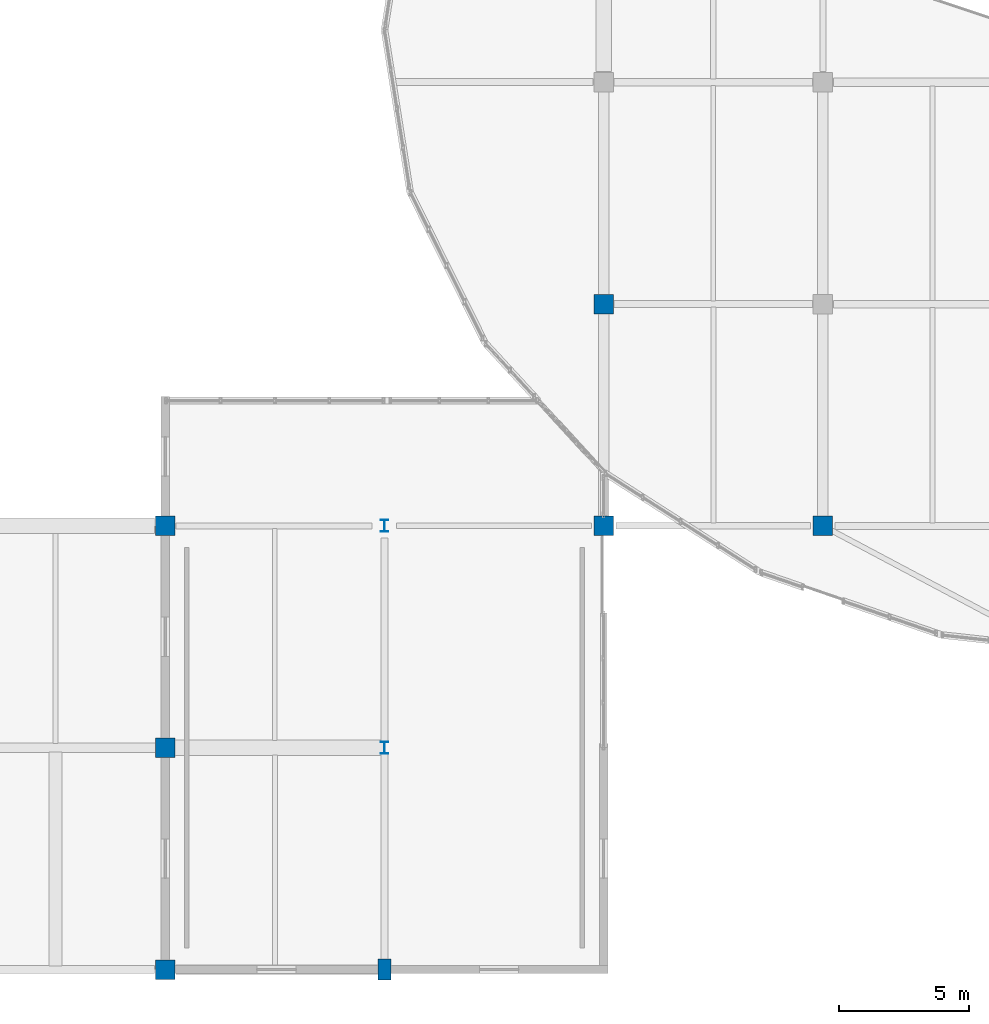
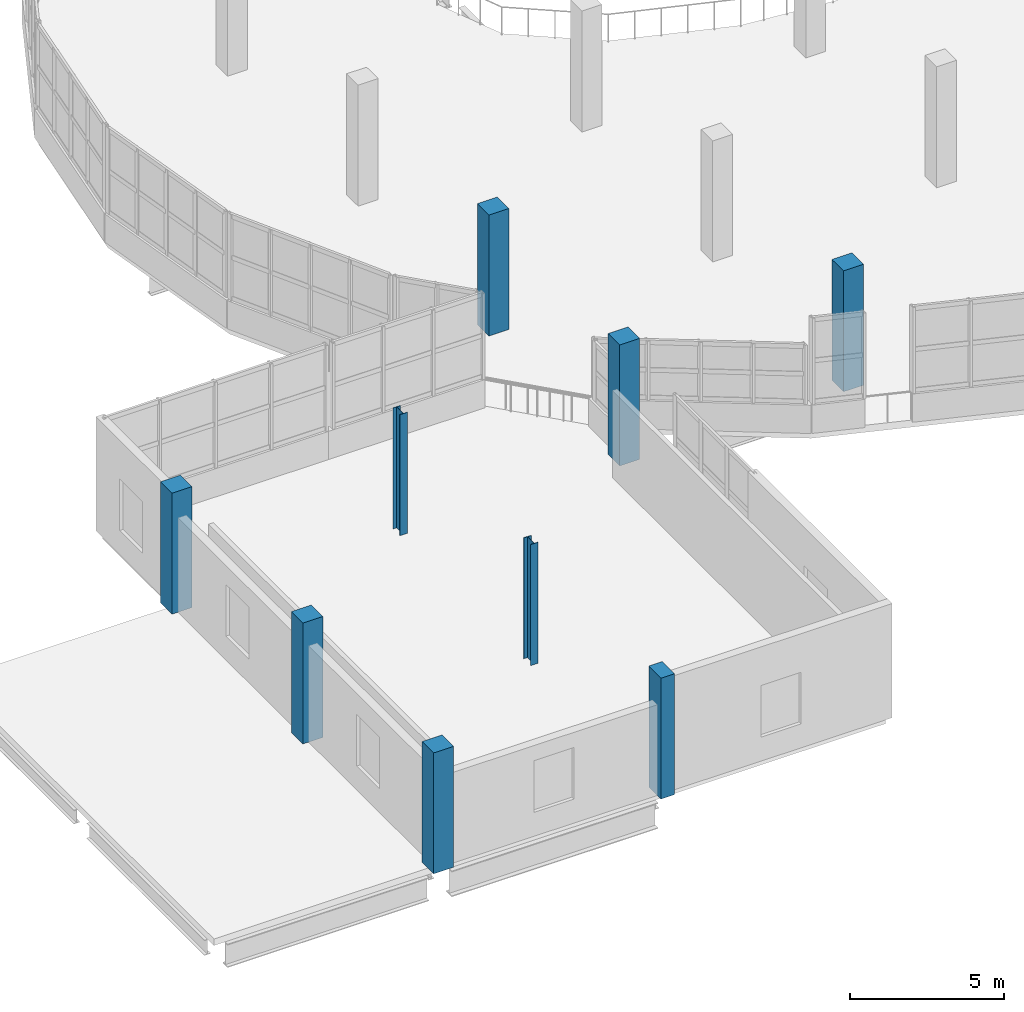
# One storey, part 1 of 117: 9 columns.
"""IFC4 building model written with IfcOpenShell, lengths in metres."""

from ifc_helpers import new_model, si_unit, direction, frame, origin, origin_2d, place, context, subcontext, project, spatial, rectangle, i_section, extrude, material, material_profile, profile_set, type_object, element, save


model = new_model("IFC4")

# Units and contexts
model_context = context("Model", 3, precision=1e-05, world=origin(), true_north=direction((0.0, 1.0)))
body_context = subcontext(model_context, "Body", "Model", "MODEL_VIEW")
ifc_project = project(units=[si_unit("LENGTHUNIT", "METRE"), si_unit("AREAUNIT", "SQUARE_METRE"), si_unit("VOLUMEUNIT", "CUBIC_METRE"), si_unit("PLANEANGLEUNIT", "RADIAN"), si_unit("MASSUNIT", "GRAM", prefix="KILO")], contexts=[model_context])

# Site, building, storey
site_placement = place(None, origin())
site = spatial("IfcSite", under=ifc_project, at=site_placement, CompositionType="ELEMENT")
building_placement = place(site_placement, origin())
building = spatial("IfcBuilding", under=site, at=building_placement, Name="Solvento Point Concert Hall", CompositionType="ELEMENT")
storey_placement = place(building_placement, frame((0.0, 0.0, 5.39990234375)))
storey = spatial("IfcBuildingStorey", under=building, at=storey_placement, Name="L01", CompositionType="ELEMENT", Elevation=5.39990234375)

# Columns
ifc_material_1 = material(Name="Concrete C40/50", Category="concrete")
ifc_material_profile_1 = material_profile(ifc_material_1, rectangle(XDim=0.75, YDim=0.75, at=origin_2d()), Name="RC-COL-750X750")
ifc_profile_set_1 = profile_set([ifc_material_profile_1], Name="Concrete C40/50")
column_type_1 = type_object("IfcColumnType", Name="Col_RC_750", PredefinedType="COLUMN", material=ifc_profile_set_1)
for number, where, z_axis, x_axis, name in (
    (1, (24.0, 0.0, 0.0), (0.0, 0.0, 1.0), (1.0, 0.0, 0.0), "Column C-29 04/A L01"),
    (2, (24.0, 8.5, 0.0), (0.0, 0.0, 1.0), (1.0, 0.0, 0.0), "Column C-29 04/B L01"),
    (3, (24.0, 17.0, 0.0), (0.0, 0.0, 1.0), (1.0, 0.0, 0.0), "Column C-29 04/C L01"),
    (4, (40.800048828125, 17.0, 0.0), (0.0, 0.0, 1.0), (1.0, 0.0, 0.0), "Column C-29 06/C L01"),
    (5, (40.800048828125, 25.5, 0.0), (0.0, 0.0, 1.0), (1.0, 0.0, 0.0), "Column C-29 06/D L01"),
    (6, (49.199951171875, 17.0, 0.0), (0.0, 0.0, 1.0), (1.0, 0.0, 0.0), "Column C-29 07/C L01"),
):
    element("IfcColumn", number, at=place(storey_placement, frame(where, z_axis=z_axis, x_axis=x_axis)), inside=storey, type_object=column_type_1, Name=name, PredefinedType="COLUMN", context=body_context, shape_type="SweptSolid", body=[
        extrude(rectangle(XDim=0.75, YDim=0.75, at=origin_2d()), origin(), (0.0, 0.0, 1.0), 4.800048828125),
    ])
ifc_material_2 = material(Name="Concrete C40/50", Category="concrete")
ifc_material_profile_2 = material_profile(ifc_material_2, rectangle(XDim=0.5, YDim=0.800048828125, at=origin_2d()), Name="RC-PIL-500X800")
ifc_profile_set_2 = profile_set([ifc_material_profile_2], Name="Concrete C40/50")
column_type_2 = type_object("IfcColumnType", Name="Pilaster_500x800", PredefinedType="PILASTER", material=ifc_profile_set_2)
column_placement = place(storey_placement, frame((32.39990234375, 0.0, 0.0), z_axis=(0.0, 0.0, 1.0), x_axis=(1.0, 0.0, 0.0)))
element("IfcColumn", 7, at=column_placement, inside=storey, type_object=column_type_2, Name="Column C-70 05/A L01", PredefinedType="PILASTER", context=body_context, shape_type="SweptSolid", body=[
    extrude(rectangle(XDim=0.5, YDim=0.800048828125, at=origin_2d()), origin(), (0.0, 0.0, 1.0), 4.800048828125),
])
ifc_material_3 = material(Name="Structural Steel ASTM A992 Grade 50", Category="steel")
ifc_material_profile_3 = material_profile(ifc_material_3, i_section(OverallWidth=0.279541015625, OverallDepth=0.462890625, WebThickness=0.0107421875, FlangeThickness=0.017333984375, at=origin_2d()), Name="W18X76")
ifc_profile_set_3 = profile_set([ifc_material_profile_3], Name="Structural Steel ASTM A992 Grade 50")
column_type_3 = type_object("IfcColumnType", Name="Pilaster_Steel_W18X76", PredefinedType="PILASTER", material=ifc_profile_set_3)
for number, where, z_axis, x_axis, name in (
    (8, (32.39990234375, 8.5, 0.0), (0.0, 0.0, 1.0), (1.0, 0.0, 0.0), "Column C-80 05/B L01"),
    (9, (32.39990234375, 17.0, 0.0), (0.0, 0.0, 1.0), (1.0, 0.0, 0.0), "Column C-80 05/C L01"),
):
    element("IfcColumn", number, at=place(storey_placement, frame(where, z_axis=z_axis, x_axis=x_axis)), inside=storey, type_object=column_type_3, Name=name, PredefinedType="PILASTER", context=body_context, shape_type="SweptSolid", body=[
        extrude(i_section(OverallWidth=0.279541015625, OverallDepth=0.462890625, WebThickness=0.0107421875, FlangeThickness=0.017333984375, at=origin_2d()), origin(), (0.0, 0.0, 1.0), 4.800048828125),
    ])

save(model, "model.ifc")
